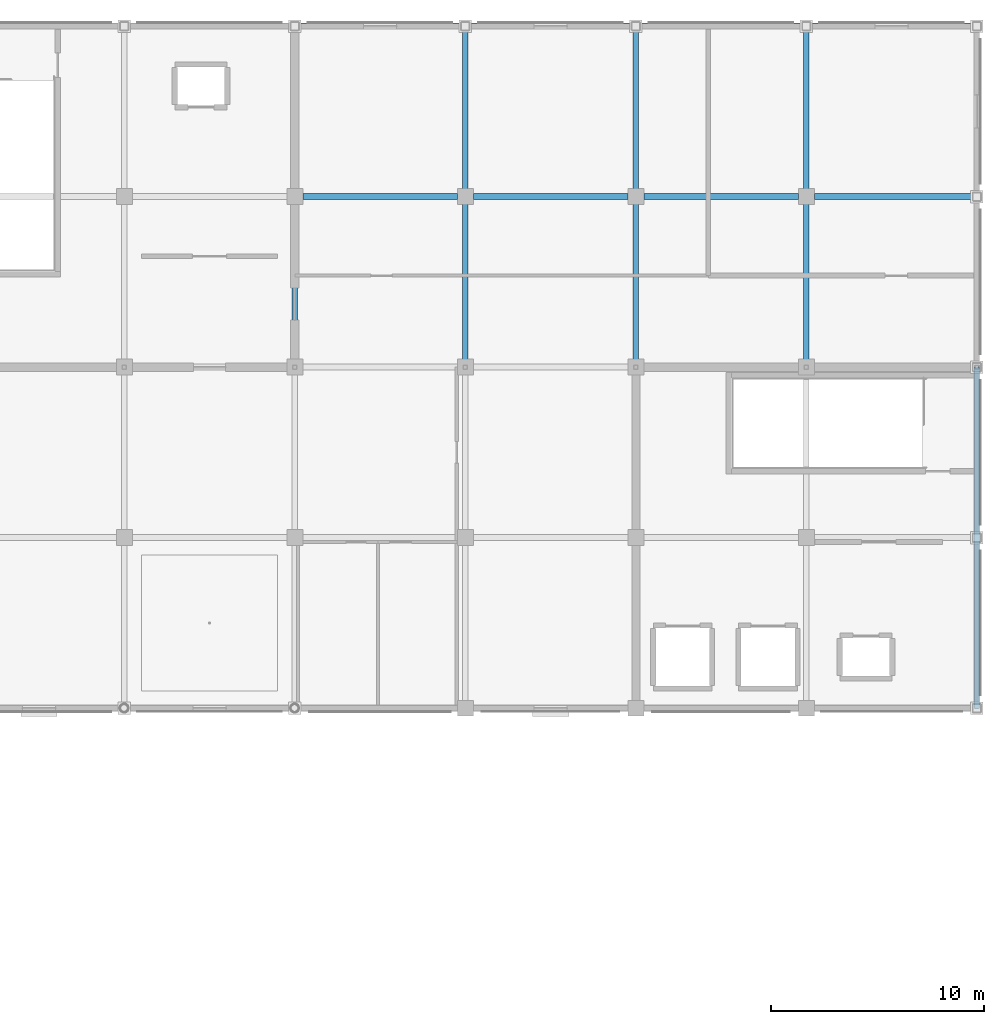
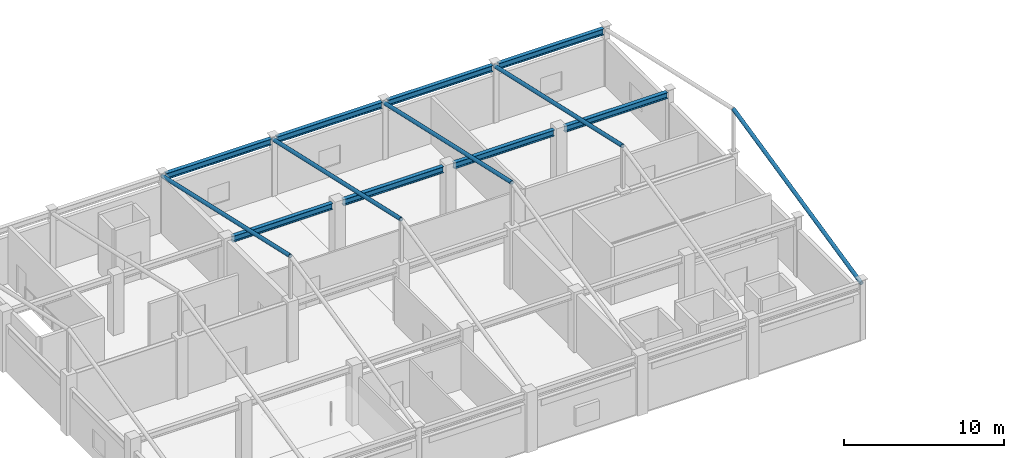
# One storey, part 9 of 16: 8 beams, 5 members.
"""IFC4 building model written with IfcOpenShell, lengths in metres."""

from ifc_helpers import new_model, si_unit, direction, frame, origin, origin_2d, place, context, subcontext, project, spatial, hollow_circle, i_section, extrude, material, material_profile, profile_set, type_object, element, save


model = new_model("IFC4")

# Units and contexts
model_context = context("Model", 3, precision=1e-05, world=origin(), true_north=direction((0.0, 1.0)))
body_context = subcontext(model_context, "Body", "Model", "MODEL_VIEW")
ifc_project = project(units=[si_unit("LENGTHUNIT", "METRE"), si_unit("AREAUNIT", "SQUARE_METRE"), si_unit("VOLUMEUNIT", "CUBIC_METRE"), si_unit("PLANEANGLEUNIT", "RADIAN"), si_unit("MASSUNIT", "GRAM", prefix="KILO")], contexts=[model_context])

# Site, building, storey
site_placement = place(None, origin())
site = spatial("IfcSite", under=ifc_project, at=site_placement, CompositionType="ELEMENT")
building_placement = place(site_placement, origin())
building = spatial("IfcBuilding", under=site, at=building_placement, Name="Solmirada Galleria", CompositionType="ELEMENT")
storey_placement = place(building_placement, frame((0.0, 0.0, 32.89990234375)))
storey = spatial("IfcBuildingStorey", under=building, at=storey_placement, Name="L07", CompositionType="ELEMENT", Elevation=32.89990234375)

# Beams
ifc_material_1 = material(Name="Steel S355 / ASTM A992 Grade 50", Category="steel")
ifc_material_profile_1 = material_profile(ifc_material_1, i_section(OverallWidth=0.281982421875, OverallDepth=0.467041015625, WebThickness=0.01220703125, FlangeThickness=0.01953125, FilletRadius=0.013916015625, at=origin_2d()), Name="W18X86")
ifc_profile_set_1 = profile_set([ifc_material_profile_1], Name="Steel S355 / ASTM A992 Grade 50")
beam_type = type_object("IfcBeamType", Name="BM-GIRD-W18A", PredefinedType="BEAM", material=ifc_profile_set_1)
beam_1_placement = place(storey_placement, frame((144.375, 112.0, 4.150146484375), z_axis=(1.0, 0.0, 0.0), x_axis=(0.0, 1.0, 0.0)))
element("IfcBeam", 1, at=beam_1_placement, inside=storey, type_object=beam_type, Name="NE roof tie girder X=144..152", PredefinedType="BEAM", context=body_context, shape_type="SweptSolid", body=[
    extrude(i_section(OverallWidth=0.281982421875, OverallDepth=0.467041015625, WebThickness=0.01220703125, FlangeThickness=0.01953125, FilletRadius=0.013916015625, at=origin_2d()), origin(), (0.0, 0.0, 1.0), 7.25),
])
beam_2_placement = place(storey_placement, frame((144.202880859375, 120.0, 4.150146484375), z_axis=(1.0, 0.0, 0.0), x_axis=(0.0, 1.0, 0.0)))
element("IfcBeam", 2, at=beam_2_placement, inside=storey, type_object=beam_type, Name="NE roof tie girder X=144..152", PredefinedType="BEAM", context=body_context, shape_type="SweptSolid", body=[
    extrude(i_section(OverallWidth=0.281982421875, OverallDepth=0.467041015625, WebThickness=0.01220703125, FlangeThickness=0.01953125, FilletRadius=0.013916015625, at=origin_2d()), origin(), (0.0, 0.0, 1.0), 7.59423828125),
])
beam_3_placement = place(storey_placement, frame((152.375, 112.0, 4.150146484375), z_axis=(1.0, 0.0, 0.0), x_axis=(0.0, 1.0, 0.0)))
element("IfcBeam", 3, at=beam_3_placement, inside=storey, type_object=beam_type, Name="NE roof tie girder X=152..160", PredefinedType="BEAM", context=body_context, shape_type="SweptSolid", body=[
    extrude(i_section(OverallWidth=0.281982421875, OverallDepth=0.467041015625, WebThickness=0.01220703125, FlangeThickness=0.01953125, FilletRadius=0.013916015625, at=origin_2d()), origin(), (0.0, 0.0, 1.0), 7.25),
])
beam_4_placement = place(storey_placement, frame((152.202880859375, 120.0, 4.150146484375), z_axis=(1.0, 0.0, 0.0), x_axis=(0.0, 1.0, 0.0)))
element("IfcBeam", 4, at=beam_4_placement, inside=storey, type_object=beam_type, Name="NE roof tie girder X=152..160", PredefinedType="BEAM", context=body_context, shape_type="SweptSolid", body=[
    extrude(i_section(OverallWidth=0.281982421875, OverallDepth=0.467041015625, WebThickness=0.01220703125, FlangeThickness=0.01953125, FilletRadius=0.013916015625, at=origin_2d()), origin(), (0.0, 0.0, 1.0), 7.59423828125),
])
beam_5_placement = place(storey_placement, frame((160.375, 112.0, 4.150146484375), z_axis=(1.0, 0.0, 0.0), x_axis=(0.0, 1.0, 0.0)))
element("IfcBeam", 5, at=beam_5_placement, inside=storey, type_object=beam_type, Name="NE roof tie girder X=160..168", PredefinedType="BEAM", context=body_context, shape_type="SweptSolid", body=[
    extrude(i_section(OverallWidth=0.281982421875, OverallDepth=0.467041015625, WebThickness=0.01220703125, FlangeThickness=0.01953125, FilletRadius=0.013916015625, at=origin_2d()), origin(), (0.0, 0.0, 1.0), 7.25),
])
beam_6_placement = place(storey_placement, frame((160.202880859375, 120.0, 4.150146484375), z_axis=(1.0, 0.0, 0.0), x_axis=(0.0, 1.0, 0.0)))
element("IfcBeam", 6, at=beam_6_placement, inside=storey, type_object=beam_type, Name="NE roof tie girder X=160..168", PredefinedType="BEAM", context=body_context, shape_type="SweptSolid", body=[
    extrude(i_section(OverallWidth=0.281982421875, OverallDepth=0.467041015625, WebThickness=0.01220703125, FlangeThickness=0.01953125, FilletRadius=0.013916015625, at=origin_2d()), origin(), (0.0, 0.0, 1.0), 7.59423828125),
])
beam_7_placement = place(storey_placement, frame((168.375, 112.0, 4.150146484375), z_axis=(1.0, 0.0, 0.0), x_axis=(0.0, 1.0, 0.0)))
element("IfcBeam", 7, at=beam_7_placement, inside=storey, type_object=beam_type, Name="NE roof tie girder X=168..176", PredefinedType="BEAM", context=body_context, shape_type="SweptSolid", body=[
    extrude(i_section(OverallWidth=0.281982421875, OverallDepth=0.467041015625, WebThickness=0.01220703125, FlangeThickness=0.01953125, FilletRadius=0.013916015625, at=origin_2d()), origin(), (0.0, 0.0, 1.0), 7.422119140625),
])
beam_8_placement = place(storey_placement, frame((168.202880859375, 120.0, 4.150146484375), z_axis=(1.0, 0.0, 0.0), x_axis=(0.0, 1.0, 0.0)))
element("IfcBeam", 8, at=beam_8_placement, inside=storey, type_object=beam_type, Name="NE roof tie girder X=168..176", PredefinedType="BEAM", context=body_context, shape_type="SweptSolid", body=[
    extrude(i_section(OverallWidth=0.281982421875, OverallDepth=0.467041015625, WebThickness=0.01220703125, FlangeThickness=0.01953125, FilletRadius=0.013916015625, at=origin_2d()), origin(), (0.0, 0.0, 1.0), 7.59423828125),
])

# Members
ifc_material_2 = material(Name="Steel S355 / ASTM A500 Grade C", Category="steel")
ifc_material_profile_2 = material_profile(ifc_material_2, hollow_circle(Radius=0.136474609375, WallThickness=0.0087890625, at=origin_2d()), Name="HSS10.750X0.375")
ifc_profile_set_2 = profile_set([ifc_material_profile_2], Name="Steel S355 / ASTM A500 Grade C")
member_type = type_object("IfcMemberType", Name="MEM-FH-CHORD", PredefinedType="CHORD", material=ifc_profile_set_2)
for number, where, z_axis, x_axis, name in (
    (9, (144.0, 104.0, 7.800048828125), (0.0, 0.97561166892, -0.219503693515), (-1.0, 0.0, 0.0), "NE pediment north rafter X=144"),
    (10, (152.0, 104.0, 7.800048828125), (0.0, 0.97561166892, -0.219503693515), (-1.0, 0.0, 0.0), "NE pediment north rafter X=152"),
    (11, (160.0, 104.0, 7.800048828125), (0.0, 0.97561166892, -0.219503693515), (-1.0, 0.0, 0.0), "NE pediment north rafter X=160"),
    (12, (168.0, 104.0, 7.800048828125), (0.0, 0.97561166892, -0.219503693515), (-1.0, 0.0, 0.0), "NE pediment north rafter X=168"),
    (13, (176.0, 88.0, 4.2001953125), (0.0, 0.97561166892, 0.219503693515), (-1.0, 0.0, 0.0), "NE pediment south rafter X=176"),
):
    element("IfcMember", number, at=place(storey_placement, frame(where, z_axis=z_axis, x_axis=x_axis)), inside=storey, type_object=member_type, Name=name, PredefinedType="CHORD", context=body_context, shape_type="SweptSolid", body=[
        extrude(hollow_circle(Radius=0.136474609375, WallThickness=0.0087890625, at=origin_2d()), origin(), (0.0, 0.0, 1.0), 16.39990234375),
    ])

save(model, "model.ifc")
